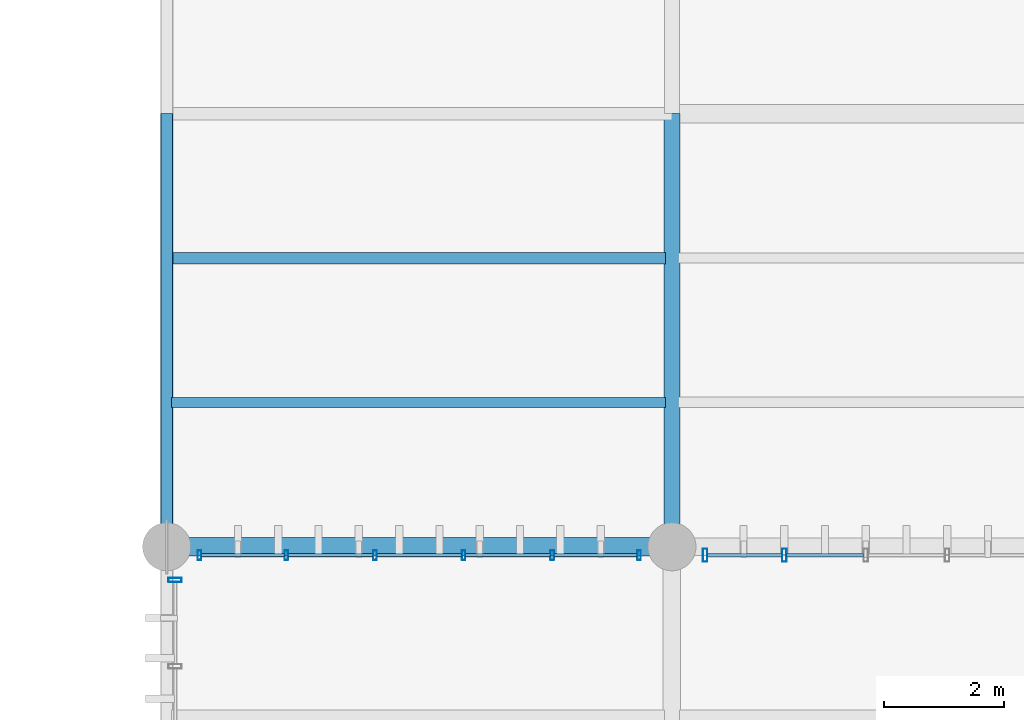
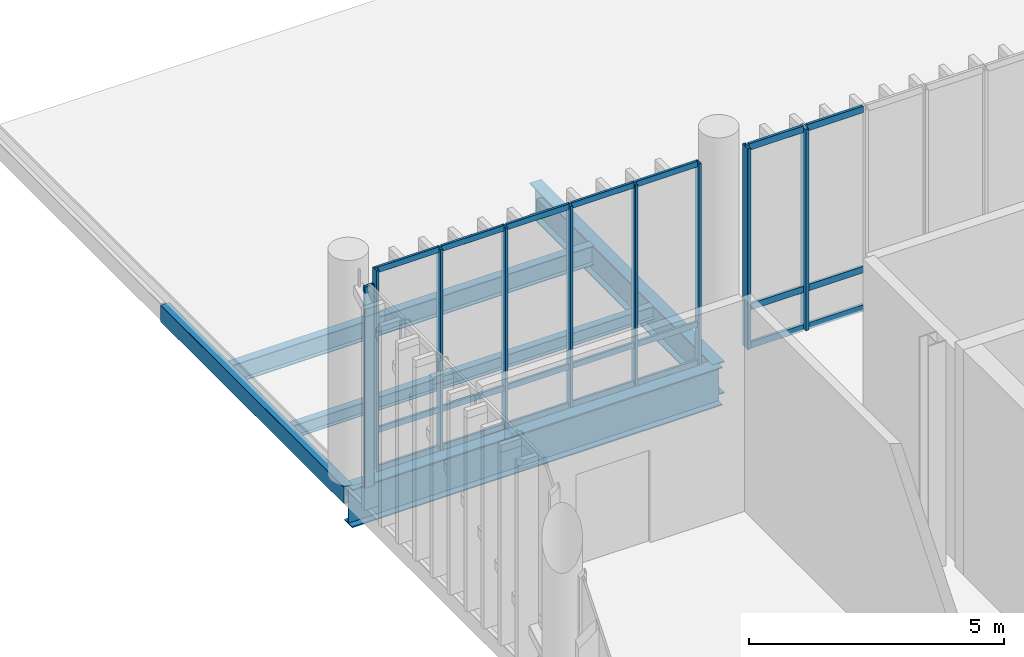
# One storey, part 86 of 128: 30 members, 5 beams, 3 elements without a shape of their own.
"""IFC4 building model written with IfcOpenShell, lengths in metres."""

from ifc_helpers import new_model, si_unit, direction, frame, origin_with_axes, origin_2d_with_axis, place, context, subcontext, project, spatial, hollow_rectangle, i_section, extrude, material, material_profile, profile_set, type_object, element, aggregate, save


model = new_model("IFC4")

# Units and contexts
model_context = context("Model", 3, precision=1e-05, world=origin_with_axes(), true_north=direction((0.0, 1.0)))
body_context = subcontext(model_context, "Body", "Model", "MODEL_VIEW")
ifc_project = project(units=[si_unit("LENGTHUNIT", "METRE"), si_unit("AREAUNIT", "SQUARE_METRE"), si_unit("VOLUMEUNIT", "CUBIC_METRE"), si_unit("PLANEANGLEUNIT", "RADIAN"), si_unit("MASSUNIT", "GRAM", prefix="KILO"), si_unit("THERMODYNAMICTEMPERATUREUNIT", "KELVIN")], contexts=[model_context])

# Site, building, storey
site_placement = place(None, origin_with_axes())
site = spatial("IfcSite", under=ifc_project, at=site_placement, CompositionType="ELEMENT")
building_placement = place(site_placement, origin_with_axes())
building = spatial("IfcBuilding", under=site, at=building_placement, Name="Montbau Bow Law Courts", CompositionType="ELEMENT")
storey_placement = place(building_placement, frame((0.0, 0.0, 5.4), z_axis=(0.0, 0.0, 1.0), x_axis=(1.0, 0.0, 0.0)))
storey = spatial("IfcBuildingStorey", under=building, at=storey_placement, Name="L01", CompositionType="ELEMENT", Elevation=5.4)

# Beams
ifc_material_1 = material(Name="Steel CSA G40.21 Grade 350W (350 MPa)", Category="steel")
ifc_material_profile_1 = material_profile(ifc_material_1, i_section(OverallWidth=0.306, OverallDepth=0.919, WebThickness=0.0173, FlangeThickness=0.0279, at=origin_2d_with_axis()), Name="W920X253", Category="Main", Priority=0)
ifc_profile_set_1 = profile_set([ifc_material_profile_1], Name="Steel CSA G40.21 Grade 350W (350 MPa)")
beam_type_1 = type_object("IfcBeamType", Name="B-FLR-01", PredefinedType="BEAM", material=ifc_profile_set_1)
beam_1_placement = place(None, frame((138.6, 103.2, 4.66), z_axis=(1.0, 0.0, 0.0), x_axis=(0.0, 1.0, 0.0)))
element("IfcBeam", 1, at=beam_1_placement, inside=storey, type_object=beam_type_1, Name="BM-L01-S1118:bm2_1121", PredefinedType="BEAM", context=body_context, shape_type="SweptSolid", body=[
    extrude(i_section(OverallWidth=0.306, OverallDepth=0.919, WebThickness=0.0173, FlangeThickness=0.0279, at=origin_2d_with_axis()), origin_with_axes(), (0.0, 0.0, 1.0), 8.4),
])
ifc_material_profile_2 = material_profile(ifc_material_1, i_section(OverallWidth=0.267, OverallDepth=0.766, WebThickness=0.0149, FlangeThickness=0.0236, at=origin_2d_with_axis()), Name="W760X185", Category="Main", Priority=0)
ifc_profile_set_2 = profile_set([ifc_material_profile_2], Name="Steel CSA G40.21 Grade 350W (350 MPa)")
beam_type_2 = type_object("IfcBeamType", Name="B-FLR-03", PredefinedType="BEAM", material=ifc_profile_set_2)
beam_2_placement = place(None, frame((147.0, 103.2, 4.737), z_axis=(0.0, 1.0, 0.0), x_axis=(-1.0, 0.0, 0.0)))
element("IfcBeam", 2, at=beam_2_placement, inside=storey, type_object=beam_type_2, Name="BM-L01-S1142:bm2_1145", PredefinedType="BEAM", context=body_context, shape_type="SweptSolid", body=[
    extrude(i_section(OverallWidth=0.267, OverallDepth=0.766, WebThickness=0.0149, FlangeThickness=0.0236, at=origin_2d_with_axis()), origin_with_axes(), (0.0, 0.0, 1.0), 7.2),
])
ifc_material_profile_3 = material_profile(ifc_material_1, i_section(OverallWidth=0.191, OverallDepth=0.46, WebThickness=0.0099, FlangeThickness=0.016, at=origin_2d_with_axis()), Name="W460X82", Category="Main", Priority=0)
ifc_profile_set_3 = profile_set([ifc_material_profile_3], Name="Steel CSA G40.21 Grade 350W (350 MPa)")
beam_type_3 = type_object("IfcBeamType", Name="B-JST-01", PredefinedType="JOIST", material=ifc_profile_set_3)
beam_3_placement = place(None, frame((138.68, 108.0, 4.89), z_axis=(1.0, 0.0, 0.0), x_axis=(0.0, 1.0, 0.0)))
element("IfcBeam", 3, at=beam_3_placement, inside=storey, type_object=beam_type_3, Name="JST-L01-S0572:jst2_0572", PredefinedType="JOIST", context=body_context, shape_type="SweptSolid", body=[
    extrude(i_section(OverallWidth=0.191, OverallDepth=0.46, WebThickness=0.0099, FlangeThickness=0.016, at=origin_2d_with_axis()), origin_with_axes(), (0.0, 0.0, 1.0), 8.211),
])
ifc_material_profile_4 = material_profile(ifc_material_1, i_section(OverallWidth=0.166, OverallDepth=0.313, WebThickness=0.0066, FlangeThickness=0.0112, at=origin_2d_with_axis()), Name="W310X45", Category="Main", Priority=0)
ifc_profile_set_4 = profile_set([ifc_material_profile_4], Name="Steel CSA G40.21 Grade 350W (350 MPa)")
beam_type_4 = type_object("IfcBeamType", Name="B-JST-04", PredefinedType="JOIST", material=ifc_profile_set_4)
beam_4_placement = place(None, frame((138.68, 105.6, 4.963), z_axis=(1.0, 0.0, 0.0), x_axis=(0.0, 1.0, 0.0)))
element("IfcBeam", 4, at=beam_4_placement, inside=storey, type_object=beam_type_4, Name="JST-L01-S0571:jst2_0571", PredefinedType="JOIST", context=body_context, shape_type="SweptSolid", body=[
    extrude(i_section(OverallWidth=0.166, OverallDepth=0.313, WebThickness=0.0066, FlangeThickness=0.0112, at=origin_2d_with_axis()), origin_with_axes(), (0.0, 0.0, 1.0), 8.211),
])
ifc_material_2 = material(Name="Steel CSA G40.21 Grade 350WT (350 MPa)", Category="steel")
ifc_material_profile_5 = material_profile(ifc_material_2, hollow_rectangle(XDim=0.203, YDim=0.406, WallThickness=0.0127, InnerFilletRadius=0.0254, OuterFilletRadius=0.0127, at=origin_2d_with_axis()), Name="HSS406X203X13", Category="Main", Priority=0)
ifc_profile_set_5 = profile_set([ifc_material_profile_5], Name="Steel CSA G40.21 Grade 350WT (350 MPa)")
beam_type_5 = type_object("IfcBeamType", Name="B-SPN-01", PredefinedType="SPANDREL", material=ifc_profile_set_5)
beam_5_placement = place(None, frame((138.6, 103.2, 4.917), z_axis=(0.0, 1.0, 0.0), x_axis=(-1.0, 0.0, 0.0)))
element("IfcBeam", 5, at=beam_5_placement, inside=storey, type_object=beam_type_5, Name="SPN-L01-S1135:bm2_1138", PredefinedType="SPANDREL", context=body_context, shape_type="SweptSolid", body=[
    extrude(hollow_rectangle(XDim=0.203, YDim=0.406, WallThickness=0.0127, InnerFilletRadius=0.0254, OuterFilletRadius=0.0127, at=origin_2d_with_axis()), origin_with_axes(), (0.0, 0.0, 1.0), 7.2),
])

# Curtain wall, members
ifc_material_3 = material(Name="Thermally Broken Extruded Aluminium AA 6063-T6", Category="aluminium")
curtain_wall_type = type_object("IfcCurtainWallType", Name="CW-SLT-01", PredefinedType="NOTDEFINED", material=ifc_material_3)
curtain_wall_1_placement = place(None, frame((147.515, 103.06, 5.4), z_axis=(0.0, 0.0, 1.0), x_axis=(1.0, 0.0, 0.0)))
curtain_wall_1 = element("IfcCurtainWall", 6, at=curtain_wall_1_placement, inside=storey, type_object=curtain_wall_type, Name="CW-L01-282:cw_0282", PredefinedType="NOTDEFINED")
ifc_material_profile_6 = material_profile(ifc_material_3, hollow_rectangle(XDim=0.075, YDim=0.22, WallThickness=0.005, InnerFilletRadius=0.01, OuterFilletRadius=0.005, at=origin_2d_with_axis()), Name="CWM-220X75", Category="Main", Priority=0)
ifc_profile_set_6 = profile_set([ifc_material_profile_6], Name="Thermally Broken Extruded Aluminium AA 6063-T6")
member_type_1 = type_object("IfcMemberType", Name="M-MUL-01", PredefinedType="MULLION", material=ifc_profile_set_6)
member_1_placement = place(None, frame((147.552, 103.06, 5.4), z_axis=(0.0, 0.0, 1.0), x_axis=(1.0, 0.0, 0.0)))
member_1 = element("IfcMember", 7, at=member_1_placement, type_object=member_type_1, Name="CW-L01-282-M01:cw_0282_M01", PredefinedType="MULLION", context=body_context, shape_type="SweptSolid", body=[
    extrude(hollow_rectangle(XDim=0.075, YDim=0.22, WallThickness=0.005, InnerFilletRadius=0.01, OuterFilletRadius=0.005, at=origin_2d_with_axis()), origin_with_axes(), (0.0, 0.0, 1.0), 4.82),
])
member_2_placement = place(None, frame((148.869, 103.06, 5.4), z_axis=(0.0, 0.0, 1.0), x_axis=(1.0, 0.0, 0.0)))
member_2 = element("IfcMember", 8, at=member_2_placement, type_object=member_type_1, Name="CW-L01-282-M02:cw_0282_M02", PredefinedType="MULLION", context=body_context, shape_type="SweptSolid", body=[
    extrude(hollow_rectangle(XDim=0.075, YDim=0.22, WallThickness=0.005, InnerFilletRadius=0.01, OuterFilletRadius=0.005, at=origin_2d_with_axis()), origin_with_axes(), (0.0, 0.0, 1.0), 4.82),
])

# Curtain wall, member
curtain_wall_2_placement = place(None, frame((138.74, 95.315, 5.4), z_axis=(0.0, 0.0, 1.0), x_axis=(1.0, 0.0, 0.0)))
curtain_wall_2 = element("IfcCurtainWall", 9, at=curtain_wall_2_placement, inside=storey, type_object=curtain_wall_type, Name="CW-L01-288:cw_0288", PredefinedType="NOTDEFINED")
member_3_placement = place(None, frame((138.74, 102.648, 5.4), z_axis=(0.0, 0.0, 1.0), x_axis=(0.0, 1.0, 0.0)))
member_3 = element("IfcMember", 10, at=member_3_placement, type_object=member_type_1, Name="CW-L01-288-M06:cw_0288_M06", PredefinedType="MULLION", context=body_context, shape_type="SweptSolid", body=[
    extrude(hollow_rectangle(XDim=0.075, YDim=0.22, WallThickness=0.005, InnerFilletRadius=0.01, OuterFilletRadius=0.005, at=origin_2d_with_axis()), origin_with_axes(), (0.0, 0.0, 1.0), 4.82),
])
aggregate(curtain_wall_2, [member_3])

# Curtain wall, members
curtain_wall_3_placement = place(None, frame((139.115, 103.06, 5.4), z_axis=(0.0, 0.0, 1.0), x_axis=(1.0, 0.0, 0.0)))
curtain_wall_3 = element("IfcCurtainWall", 11, at=curtain_wall_3_placement, inside=storey, type_object=curtain_wall_type, Name="CW-L01-281:cw_0281", PredefinedType="NOTDEFINED")
ifc_material_profile_7 = material_profile(ifc_material_3, hollow_rectangle(XDim=0.06, YDim=0.16, WallThickness=0.004, InnerFilletRadius=0.008, OuterFilletRadius=0.004, at=origin_2d_with_axis()), Name="CWM-160X60", Category="Main", Priority=0)
ifc_profile_set_7 = profile_set([ifc_material_profile_7], Name="Thermally Broken Extruded Aluminium AA 6063-T6")
member_type_2 = type_object("IfcMemberType", Name="M-MUL-03", PredefinedType="MULLION", material=ifc_profile_set_7)
member_4_placement = place(None, frame((139.145, 103.06, 5.4), z_axis=(0.0, 0.0, 1.0), x_axis=(1.0, 0.0, 0.0)))
member_4 = element("IfcMember", 12, at=member_4_placement, type_object=member_type_2, Name="CW-L01-281-M01:cw_0281_M01", PredefinedType="MULLION", context=body_context, shape_type="SweptSolid", body=[
    extrude(hollow_rectangle(XDim=0.06, YDim=0.16, WallThickness=0.004, InnerFilletRadius=0.008, OuterFilletRadius=0.004, at=origin_2d_with_axis()), origin_with_axes(), (0.0, 0.0, 1.0), 4.82),
])
member_5_placement = place(None, frame((140.589, 103.06, 5.4), z_axis=(0.0, 0.0, 1.0), x_axis=(1.0, 0.0, 0.0)))
member_5 = element("IfcMember", 13, at=member_5_placement, type_object=member_type_2, Name="CW-L01-281-M02:cw_0281_M02", PredefinedType="MULLION", context=body_context, shape_type="SweptSolid", body=[
    extrude(hollow_rectangle(XDim=0.06, YDim=0.16, WallThickness=0.004, InnerFilletRadius=0.008, OuterFilletRadius=0.004, at=origin_2d_with_axis()), origin_with_axes(), (0.0, 0.0, 1.0), 4.82),
])
member_6_placement = place(None, frame((142.063, 103.06, 5.4), z_axis=(0.0, 0.0, 1.0), x_axis=(1.0, 0.0, 0.0)))
member_6 = element("IfcMember", 14, at=member_6_placement, type_object=member_type_2, Name="CW-L01-281-M03:cw_0281_M03", PredefinedType="MULLION", context=body_context, shape_type="SweptSolid", body=[
    extrude(hollow_rectangle(XDim=0.06, YDim=0.16, WallThickness=0.004, InnerFilletRadius=0.008, OuterFilletRadius=0.004, at=origin_2d_with_axis()), origin_with_axes(), (0.0, 0.0, 1.0), 4.82),
])
member_7_placement = place(None, frame((143.537, 103.06, 5.4), z_axis=(0.0, 0.0, 1.0), x_axis=(1.0, 0.0, 0.0)))
member_7 = element("IfcMember", 15, at=member_7_placement, type_object=member_type_2, Name="CW-L01-281-M04:cw_0281_M04", PredefinedType="MULLION", context=body_context, shape_type="SweptSolid", body=[
    extrude(hollow_rectangle(XDim=0.06, YDim=0.16, WallThickness=0.004, InnerFilletRadius=0.008, OuterFilletRadius=0.004, at=origin_2d_with_axis()), origin_with_axes(), (0.0, 0.0, 1.0), 4.82),
])
member_8_placement = place(None, frame((145.011, 103.06, 5.4), z_axis=(0.0, 0.0, 1.0), x_axis=(1.0, 0.0, 0.0)))
member_8 = element("IfcMember", 16, at=member_8_placement, type_object=member_type_2, Name="CW-L01-281-M05:cw_0281_M05", PredefinedType="MULLION", context=body_context, shape_type="SweptSolid", body=[
    extrude(hollow_rectangle(XDim=0.06, YDim=0.16, WallThickness=0.004, InnerFilletRadius=0.008, OuterFilletRadius=0.004, at=origin_2d_with_axis()), origin_with_axes(), (0.0, 0.0, 1.0), 4.82),
])
member_9_placement = place(None, frame((146.455, 103.06, 5.4), z_axis=(0.0, 0.0, 1.0), x_axis=(1.0, 0.0, 0.0)))
member_9 = element("IfcMember", 17, at=member_9_placement, type_object=member_type_2, Name="CW-L01-281-M06:cw_0281_M06", PredefinedType="MULLION", context=body_context, shape_type="SweptSolid", body=[
    extrude(hollow_rectangle(XDim=0.06, YDim=0.16, WallThickness=0.004, InnerFilletRadius=0.008, OuterFilletRadius=0.004, at=origin_2d_with_axis()), origin_with_axes(), (0.0, 0.0, 1.0), 4.82),
])

# Member
ifc_material_profile_8 = material_profile(ifc_material_3, hollow_rectangle(XDim=0.06, YDim=0.16, WallThickness=0.004, InnerFilletRadius=0.008, OuterFilletRadius=0.004, at=origin_2d_with_axis()), Name="CWT-160X60", Category="Main", Priority=0)
ifc_profile_set_8 = profile_set([ifc_material_profile_8], Name="Thermally Broken Extruded Aluminium AA 6063-T6")
member_type_3 = type_object("IfcMemberType", Name="M-TRN-01", PredefinedType="USERDEFINED", material=ifc_profile_set_8)
member_10_placement = place(None, frame((147.591, 103.06, 5.43), z_axis=(1.0, 0.0, 0.0), x_axis=(0.0, 1.0, 0.0)))
member_10 = element("IfcMember", 18, at=member_10_placement, type_object=member_type_3, Name="CW-L01-282-T01-1:cw_0282_T01_1", ObjectType="TRANSOM", PredefinedType="USERDEFINED", context=body_context, shape_type="SweptSolid", body=[
    extrude(hollow_rectangle(XDim=0.06, YDim=0.16, WallThickness=0.004, InnerFilletRadius=0.008, OuterFilletRadius=0.004, at=origin_2d_with_axis()), origin_with_axes(), (0.0, 0.0, 1.0), 1.239),
])

member_11_placement = place(None, frame((147.591, 103.06, 6.35), z_axis=(1.0, 0.0, 0.0), x_axis=(0.0, 1.0, 0.0)))
member_11 = element("IfcMember", 19, at=member_11_placement, type_object=member_type_3, Name="CW-L01-282-T01-2:cw_0282_T01_2", ObjectType="TRANSOM", PredefinedType="USERDEFINED", context=body_context, shape_type="SweptSolid", body=[
    extrude(hollow_rectangle(XDim=0.06, YDim=0.16, WallThickness=0.004, InnerFilletRadius=0.008, OuterFilletRadius=0.004, at=origin_2d_with_axis()), origin_with_axes(), (0.0, 0.0, 1.0), 1.239),
])

member_12_placement = place(None, frame((147.591, 103.06, 10.19), z_axis=(1.0, 0.0, 0.0), x_axis=(0.0, 1.0, 0.0)))
member_12 = element("IfcMember", 20, at=member_12_placement, type_object=member_type_3, Name="CW-L01-282-T01-3:cw_0282_T01_3", ObjectType="TRANSOM", PredefinedType="USERDEFINED", context=body_context, shape_type="SweptSolid", body=[
    extrude(hollow_rectangle(XDim=0.06, YDim=0.16, WallThickness=0.004, InnerFilletRadius=0.008, OuterFilletRadius=0.004, at=origin_2d_with_axis()), origin_with_axes(), (0.0, 0.0, 1.0), 1.239),
])

member_13_placement = place(None, frame((148.909, 103.06, 5.43), z_axis=(1.0, 0.0, 0.0), x_axis=(0.0, 1.0, 0.0)))
member_13 = element("IfcMember", 21, at=member_13_placement, type_object=member_type_3, Name="CW-L01-282-T02-1:cw_0282_T02_1", ObjectType="TRANSOM", PredefinedType="USERDEFINED", context=body_context, shape_type="SweptSolid", body=[
    extrude(hollow_rectangle(XDim=0.06, YDim=0.16, WallThickness=0.004, InnerFilletRadius=0.008, OuterFilletRadius=0.004, at=origin_2d_with_axis()), origin_with_axes(), (0.0, 0.0, 1.0), 1.275),
])

member_14_placement = place(None, frame((148.909, 103.06, 6.35), z_axis=(1.0, 0.0, 0.0), x_axis=(0.0, 1.0, 0.0)))
member_14 = element("IfcMember", 22, at=member_14_placement, type_object=member_type_3, Name="CW-L01-282-T02-2:cw_0282_T02_2", ObjectType="TRANSOM", PredefinedType="USERDEFINED", context=body_context, shape_type="SweptSolid", body=[
    extrude(hollow_rectangle(XDim=0.06, YDim=0.16, WallThickness=0.004, InnerFilletRadius=0.008, OuterFilletRadius=0.004, at=origin_2d_with_axis()), origin_with_axes(), (0.0, 0.0, 1.0), 1.275),
])

member_15_placement = place(None, frame((148.909, 103.06, 10.19), z_axis=(1.0, 0.0, 0.0), x_axis=(0.0, 1.0, 0.0)))
member_15 = element("IfcMember", 23, at=member_15_placement, type_object=member_type_3, Name="CW-L01-282-T02-3:cw_0282_T02_3", ObjectType="TRANSOM", PredefinedType="USERDEFINED", context=body_context, shape_type="SweptSolid", body=[
    extrude(hollow_rectangle(XDim=0.06, YDim=0.16, WallThickness=0.004, InnerFilletRadius=0.008, OuterFilletRadius=0.004, at=origin_2d_with_axis()), origin_with_axes(), (0.0, 0.0, 1.0), 1.275),
])

aggregate(curtain_wall_1, [member_1, member_2, member_10, member_11, member_12, member_13, member_14, member_15])

ifc_material_profile_9 = material_profile(ifc_material_3, hollow_rectangle(XDim=0.055, YDim=0.14, WallThickness=0.004, InnerFilletRadius=0.008, OuterFilletRadius=0.004, at=origin_2d_with_axis()), Name="CWT-140X55", Category="Main", Priority=0)
ifc_profile_set_9 = profile_set([ifc_material_profile_9], Name="Thermally Broken Extruded Aluminium AA 6063-T6")
member_type_4 = type_object("IfcMemberType", Name="M-TRN-02", PredefinedType="USERDEFINED", material=ifc_profile_set_9)
member_16_placement = place(None, frame((139.177, 103.06, 5.428), z_axis=(1.0, 0.0, 0.0), x_axis=(0.0, 1.0, 0.0)))
member_16 = element("IfcMember", 24, at=member_16_placement, type_object=member_type_4, Name="CW-L01-281-T01-1:cw_0281_T01_1", ObjectType="TRANSOM", PredefinedType="USERDEFINED", context=body_context, shape_type="SweptSolid", body=[
    extrude(hollow_rectangle(XDim=0.055, YDim=0.14, WallThickness=0.004, InnerFilletRadius=0.008, OuterFilletRadius=0.004, at=origin_2d_with_axis()), origin_with_axes(), (0.0, 0.0, 1.0), 1.38),
])

member_17_placement = place(None, frame((139.177, 103.06, 6.35), z_axis=(1.0, 0.0, 0.0), x_axis=(0.0, 1.0, 0.0)))
member_17 = element("IfcMember", 25, at=member_17_placement, type_object=member_type_4, Name="CW-L01-281-T01-2:cw_0281_T01_2", ObjectType="TRANSOM", PredefinedType="USERDEFINED", context=body_context, shape_type="SweptSolid", body=[
    extrude(hollow_rectangle(XDim=0.055, YDim=0.14, WallThickness=0.004, InnerFilletRadius=0.008, OuterFilletRadius=0.004, at=origin_2d_with_axis()), origin_with_axes(), (0.0, 0.0, 1.0), 1.38),
])

member_18_placement = place(None, frame((139.177, 103.06, 10.193), z_axis=(1.0, 0.0, 0.0), x_axis=(0.0, 1.0, 0.0)))
member_18 = element("IfcMember", 26, at=member_18_placement, type_object=member_type_4, Name="CW-L01-281-T01-3:cw_0281_T01_3", ObjectType="TRANSOM", PredefinedType="USERDEFINED", context=body_context, shape_type="SweptSolid", body=[
    extrude(hollow_rectangle(XDim=0.055, YDim=0.14, WallThickness=0.004, InnerFilletRadius=0.008, OuterFilletRadius=0.004, at=origin_2d_with_axis()), origin_with_axes(), (0.0, 0.0, 1.0), 1.38),
])

member_19_placement = place(None, frame((140.621, 103.06, 5.428), z_axis=(1.0, 0.0, 0.0), x_axis=(0.0, 1.0, 0.0)))
member_19 = element("IfcMember", 27, at=member_19_placement, type_object=member_type_4, Name="CW-L01-281-T02-1:cw_0281_T02_1", ObjectType="TRANSOM", PredefinedType="USERDEFINED", context=body_context, shape_type="SweptSolid", body=[
    extrude(hollow_rectangle(XDim=0.055, YDim=0.14, WallThickness=0.004, InnerFilletRadius=0.008, OuterFilletRadius=0.004, at=origin_2d_with_axis()), origin_with_axes(), (0.0, 0.0, 1.0), 1.41),
])

member_20_placement = place(None, frame((140.621, 103.06, 6.35), z_axis=(1.0, 0.0, 0.0), x_axis=(0.0, 1.0, 0.0)))
member_20 = element("IfcMember", 28, at=member_20_placement, type_object=member_type_4, Name="CW-L01-281-T02-2:cw_0281_T02_2", ObjectType="TRANSOM", PredefinedType="USERDEFINED", context=body_context, shape_type="SweptSolid", body=[
    extrude(hollow_rectangle(XDim=0.055, YDim=0.14, WallThickness=0.004, InnerFilletRadius=0.008, OuterFilletRadius=0.004, at=origin_2d_with_axis()), origin_with_axes(), (0.0, 0.0, 1.0), 1.41),
])

member_21_placement = place(None, frame((140.621, 103.06, 10.193), z_axis=(1.0, 0.0, 0.0), x_axis=(0.0, 1.0, 0.0)))
member_21 = element("IfcMember", 29, at=member_21_placement, type_object=member_type_4, Name="CW-L01-281-T02-3:cw_0281_T02_3", ObjectType="TRANSOM", PredefinedType="USERDEFINED", context=body_context, shape_type="SweptSolid", body=[
    extrude(hollow_rectangle(XDim=0.055, YDim=0.14, WallThickness=0.004, InnerFilletRadius=0.008, OuterFilletRadius=0.004, at=origin_2d_with_axis()), origin_with_axes(), (0.0, 0.0, 1.0), 1.41),
])

member_22_placement = place(None, frame((142.095, 103.06, 5.428), z_axis=(1.0, 0.0, 0.0), x_axis=(0.0, 1.0, 0.0)))
member_22 = element("IfcMember", 30, at=member_22_placement, type_object=member_type_4, Name="CW-L01-281-T03-1:cw_0281_T03_1", ObjectType="TRANSOM", PredefinedType="USERDEFINED", context=body_context, shape_type="SweptSolid", body=[
    extrude(hollow_rectangle(XDim=0.055, YDim=0.14, WallThickness=0.004, InnerFilletRadius=0.008, OuterFilletRadius=0.004, at=origin_2d_with_axis()), origin_with_axes(), (0.0, 0.0, 1.0), 1.41),
])

member_23_placement = place(None, frame((142.095, 103.06, 6.35), z_axis=(1.0, 0.0, 0.0), x_axis=(0.0, 1.0, 0.0)))
member_23 = element("IfcMember", 31, at=member_23_placement, type_object=member_type_4, Name="CW-L01-281-T03-2:cw_0281_T03_2", ObjectType="TRANSOM", PredefinedType="USERDEFINED", context=body_context, shape_type="SweptSolid", body=[
    extrude(hollow_rectangle(XDim=0.055, YDim=0.14, WallThickness=0.004, InnerFilletRadius=0.008, OuterFilletRadius=0.004, at=origin_2d_with_axis()), origin_with_axes(), (0.0, 0.0, 1.0), 1.41),
])

member_24_placement = place(None, frame((142.095, 103.06, 10.193), z_axis=(1.0, 0.0, 0.0), x_axis=(0.0, 1.0, 0.0)))
member_24 = element("IfcMember", 32, at=member_24_placement, type_object=member_type_4, Name="CW-L01-281-T03-3:cw_0281_T03_3", ObjectType="TRANSOM", PredefinedType="USERDEFINED", context=body_context, shape_type="SweptSolid", body=[
    extrude(hollow_rectangle(XDim=0.055, YDim=0.14, WallThickness=0.004, InnerFilletRadius=0.008, OuterFilletRadius=0.004, at=origin_2d_with_axis()), origin_with_axes(), (0.0, 0.0, 1.0), 1.41),
])

member_25_placement = place(None, frame((143.569, 103.06, 5.428), z_axis=(1.0, 0.0, 0.0), x_axis=(0.0, 1.0, 0.0)))
member_25 = element("IfcMember", 33, at=member_25_placement, type_object=member_type_4, Name="CW-L01-281-T04-1:cw_0281_T04_1", ObjectType="TRANSOM", PredefinedType="USERDEFINED", context=body_context, shape_type="SweptSolid", body=[
    extrude(hollow_rectangle(XDim=0.055, YDim=0.14, WallThickness=0.004, InnerFilletRadius=0.008, OuterFilletRadius=0.004, at=origin_2d_with_axis()), origin_with_axes(), (0.0, 0.0, 1.0), 1.41),
])

member_26_placement = place(None, frame((143.569, 103.06, 6.35), z_axis=(1.0, 0.0, 0.0), x_axis=(0.0, 1.0, 0.0)))
member_26 = element("IfcMember", 34, at=member_26_placement, type_object=member_type_4, Name="CW-L01-281-T04-2:cw_0281_T04_2", ObjectType="TRANSOM", PredefinedType="USERDEFINED", context=body_context, shape_type="SweptSolid", body=[
    extrude(hollow_rectangle(XDim=0.055, YDim=0.14, WallThickness=0.004, InnerFilletRadius=0.008, OuterFilletRadius=0.004, at=origin_2d_with_axis()), origin_with_axes(), (0.0, 0.0, 1.0), 1.41),
])

member_27_placement = place(None, frame((143.569, 103.06, 10.193), z_axis=(1.0, 0.0, 0.0), x_axis=(0.0, 1.0, 0.0)))
member_27 = element("IfcMember", 35, at=member_27_placement, type_object=member_type_4, Name="CW-L01-281-T04-3:cw_0281_T04_3", ObjectType="TRANSOM", PredefinedType="USERDEFINED", context=body_context, shape_type="SweptSolid", body=[
    extrude(hollow_rectangle(XDim=0.055, YDim=0.14, WallThickness=0.004, InnerFilletRadius=0.008, OuterFilletRadius=0.004, at=origin_2d_with_axis()), origin_with_axes(), (0.0, 0.0, 1.0), 1.41),
])

member_28_placement = place(None, frame((145.043, 103.06, 5.428), z_axis=(1.0, 0.0, 0.0), x_axis=(0.0, 1.0, 0.0)))
member_28 = element("IfcMember", 36, at=member_28_placement, type_object=member_type_4, Name="CW-L01-281-T05-1:cw_0281_T05_1", ObjectType="TRANSOM", PredefinedType="USERDEFINED", context=body_context, shape_type="SweptSolid", body=[
    extrude(hollow_rectangle(XDim=0.055, YDim=0.14, WallThickness=0.004, InnerFilletRadius=0.008, OuterFilletRadius=0.004, at=origin_2d_with_axis()), origin_with_axes(), (0.0, 0.0, 1.0), 1.38),
])

member_29_placement = place(None, frame((145.043, 103.06, 6.35), z_axis=(1.0, 0.0, 0.0), x_axis=(0.0, 1.0, 0.0)))
member_29 = element("IfcMember", 37, at=member_29_placement, type_object=member_type_4, Name="CW-L01-281-T05-2:cw_0281_T05_2", ObjectType="TRANSOM", PredefinedType="USERDEFINED", context=body_context, shape_type="SweptSolid", body=[
    extrude(hollow_rectangle(XDim=0.055, YDim=0.14, WallThickness=0.004, InnerFilletRadius=0.008, OuterFilletRadius=0.004, at=origin_2d_with_axis()), origin_with_axes(), (0.0, 0.0, 1.0), 1.38),
])

member_30_placement = place(None, frame((145.043, 103.06, 10.193), z_axis=(1.0, 0.0, 0.0), x_axis=(0.0, 1.0, 0.0)))
member_30 = element("IfcMember", 38, at=member_30_placement, type_object=member_type_4, Name="CW-L01-281-T05-3:cw_0281_T05_3", ObjectType="TRANSOM", PredefinedType="USERDEFINED", context=body_context, shape_type="SweptSolid", body=[
    extrude(hollow_rectangle(XDim=0.055, YDim=0.14, WallThickness=0.004, InnerFilletRadius=0.008, OuterFilletRadius=0.004, at=origin_2d_with_axis()), origin_with_axes(), (0.0, 0.0, 1.0), 1.38),
])

aggregate(curtain_wall_3, [member_4, member_5, member_6, member_7, member_8, member_9, member_16, member_17, member_18, member_19, member_20, member_21, member_22, member_23, member_24, member_25, member_26, member_27, member_28, member_29, member_30])

save(model, "model.ifc")
